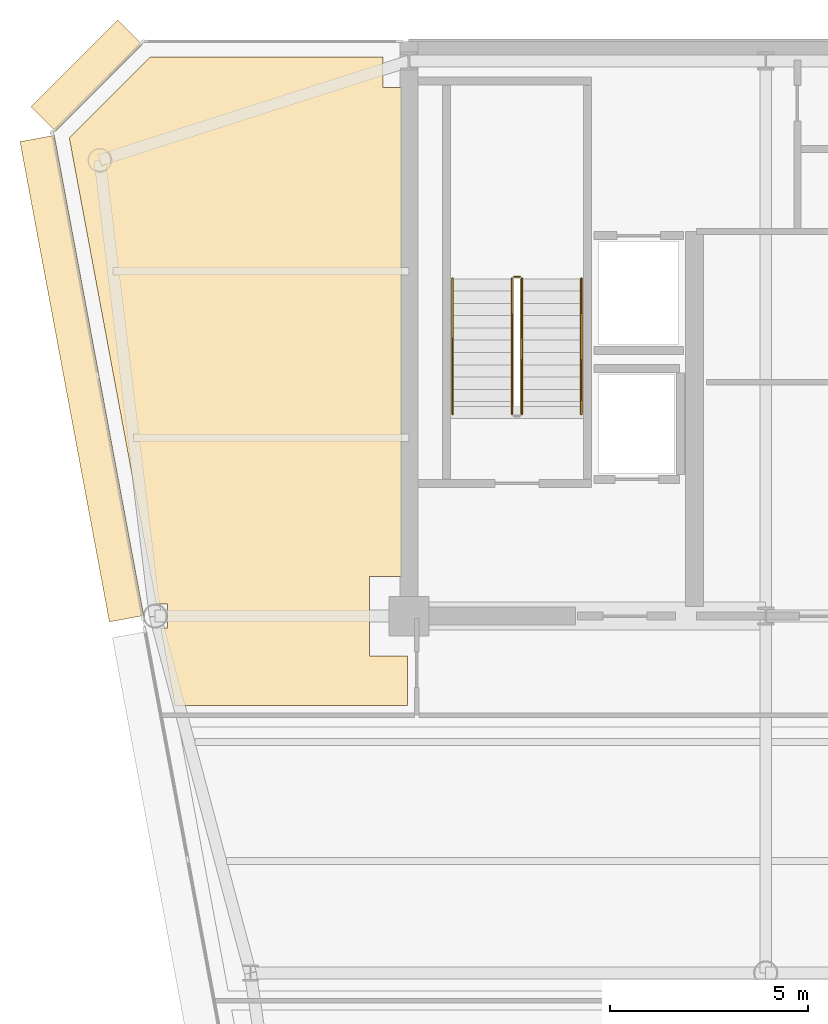
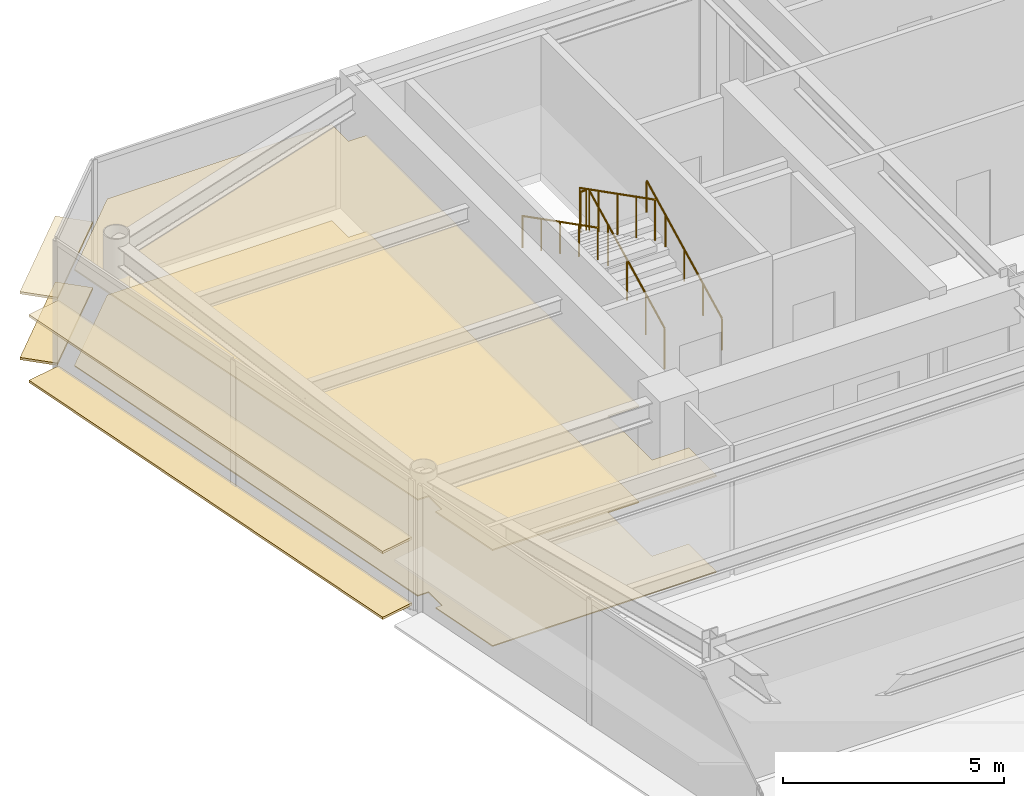
# One storey, part 16 of 18: 6 coverings, 5 railings.
"""IFC4 building model written with IfcOpenShell, lengths in metres."""

from ifc_helpers import new_model, si_unit, direction, frame, origin, origin_2d, place, context, subcontext, project, spatial, polyline, rectangle, circle, outline, extrude, source, transform, mapped, material, layer, layer_set, type_object, element, save


model = new_model("IFC4")

# Units and contexts
model_context = context("Model", 3, precision=1e-05, world=origin(), true_north=direction((0.0, 1.0)))
body_context = subcontext(model_context, "Body", "Model", "MODEL_VIEW")
ifc_project = project(units=[si_unit("LENGTHUNIT", "METRE"), si_unit("AREAUNIT", "SQUARE_METRE"), si_unit("VOLUMEUNIT", "CUBIC_METRE"), si_unit("PLANEANGLEUNIT", "RADIAN"), si_unit("MASSUNIT", "GRAM", prefix="KILO")], contexts=[model_context])

# Site, building, storey
site_placement = place(None, origin())
site = spatial("IfcSite", under=ifc_project, at=site_placement, CompositionType="ELEMENT")
building_placement = place(site_placement, origin())
building = spatial("IfcBuilding", under=site, at=building_placement, Name="Vaeldorn Concourse Tower", CompositionType="ELEMENT")
storey_placement = place(building_placement, frame((0.0, 0.0, 246.0)))
storey = spatial("IfcBuildingStorey", under=building, at=storey_placement, Name="L63", CompositionType="ELEMENT", Elevation=246.0)

# Coverings
ifc_material_1 = material(Name="Acoustic Mineral Fibre Board", Category="gypsum")
ifc_layer_1 = layer(ifc_material_1, 0.0400390625)
ifc_layer_set_1 = layer_set([ifc_layer_1], Name="Acoustic Mineral Fibre Board")
covering_type_1 = type_object("IfcCoveringType", Name="COV-CEIL-ACOUSTIC", PredefinedType="CEILING", material=ifc_layer_set_1)
covering_1_placement = place(storey_placement, frame((0.0, 0.0, 2.64990234375)))
element("IfcCovering", 1, at=covering_1_placement, inside=storey, type_object=covering_type_1, Name="Suspended Acoustic Ceiling L63-3", PredefinedType="CEILING", context=body_context, shape_type="SweptSolid", body=[
    extrude(outline(polyline([(7.4658203125, 50.60009765625), (13.340087890625, 50.60009765625), (13.340087890625, 49.840087890625), (13.820068359375, 49.840087890625), (13.820068359375, 37.5), (13.0, 37.5), (13.0, 35.5), (13.9599609375, 35.5), (13.9599609375, 34.239990234375), (8.099365234375, 34.239990234375), (7.831298828125, 35.679931640625), (7.831298828125, 35.679931640625), (7.7353515625, 36.195068359375), (7.905029296875, 36.195068359375), (7.905029296875, 36.804931640625), (7.621826171875, 36.804931640625), (5.431884765625, 48.566162109375), (7.4658203125, 50.60009765625)])), origin(), (0.0, 0.0, 1.0), 0.0400390625),
])
ifc_material_2 = material(Name="Honed Limestone Terrazzo Flooring", Category="masonry")
ifc_layer_2 = layer(ifc_material_2, 0.0400390625)
ifc_layer_set_2 = layer_set([ifc_layer_2], Name="Honed Limestone Terrazzo Flooring")
covering_type_2 = type_object("IfcCoveringType", Name="COV-FLOOR-STONE", PredefinedType="FLOORING", material=ifc_layer_set_2)
covering_2_placement = place(storey_placement, origin())
element("IfcCovering", 2, at=covering_2_placement, inside=storey, type_object=covering_type_2, Name="Floor Finish Covering L63-3", PredefinedType="FLOORING", context=body_context, shape_type="SweptSolid", body=[
    extrude(outline(polyline([(7.4658203125, 50.60009765625), (13.340087890625, 50.60009765625), (13.340087890625, 49.840087890625), (13.820068359375, 49.840087890625), (13.820068359375, 37.5), (13.0, 37.5), (13.0, 35.5), (13.9599609375, 35.5), (13.9599609375, 34.239990234375), (8.099365234375, 34.239990234375), (7.831298828125, 35.679931640625), (7.831298828125, 35.679931640625), (7.7353515625, 36.195068359375), (7.905029296875, 36.195068359375), (7.905029296875, 36.804931640625), (7.621826171875, 36.804931640625), (5.431884765625, 48.566162109375), (7.4658203125, 50.60009765625)])), origin(), (0.0, 0.0, 1.0), 0.030029296875),
])

# Railings
ifc_material_3 = material(Name="Anodised Bronze Aluminium", Category="aluminium")
railing_type_1 = type_object("IfcRailingType", Name="RL-STAIR-GUARD", PredefinedType="GUARDRAIL", material=ifc_material_3)
railing_1_placement = place(storey_placement, frame((16.85009765625, 41.60009765625, 0.158447265625)))
element("IfcRailing", 3, at=railing_1_placement, inside=storey, type_object=railing_type_1, Name="L63 ST-1 stair guard 1", PredefinedType="GUARDRAIL", context=body_context, shape_type="SweptSolid", body=[
    extrude(circle(Radius=0.02392578125, at=origin_2d()), frame((0.0, 0.0, 1.1259765625), z_axis=(0.0, 0.890581635807, 0.454823427236), x_axis=(-1.0, 0.0, 0.0)), (0.0, 0.0, 1.0), 3.828857421875),
    extrude(circle(Radius=0.02099609375, at=origin_2d()), origin(), (0.0, 0.0, 1.0), 1.101806640625),
    extrude(circle(Radius=0.02099609375, at=origin_2d()), frame((0.0, 0.8525390625, 0.435302734375)), (0.0, 0.0, 1.0), 1.101806640625),
    extrude(circle(Radius=0.02099609375, at=origin_2d()), frame((0.0, 1.705078125, 0.87060546875)), (0.0, 0.0, 1.0), 1.101806640625),
    extrude(circle(Radius=0.02099609375, at=origin_2d()), frame((0.0, 2.557373046875, 1.30615234375)), (0.0, 0.0, 1.0), 1.101806640625),
    extrude(circle(Radius=0.02099609375, at=origin_2d()), frame((0.0, 3.409912109375, 1.741455078125)), (0.0, 0.0, 1.0), 1.101806640625),
])
railing_2_placement = place(storey_placement, frame((16.800048828125, 45.06005859375, 1.89990234375)))
element("IfcRailing", 4, at=railing_2_placement, inside=storey, type_object=railing_type_1, Name="L63 ST-1 stair guard 2", PredefinedType="GUARDRAIL", context=body_context, shape_type="SweptSolid", body=[
    extrude(circle(Radius=0.02392578125, at=origin_2d()), frame((0.0, 0.0, 1.1259765625), z_axis=(-1.0, 0.0, 0.0), x_axis=(0.0, -1.0, 0.0)), (0.0, 0.0, 1.0), 0.150146484375),
    extrude(circle(Radius=0.02099609375, at=origin_2d()), origin(), (0.0, 0.0, 1.0), 1.101806640625),
    extrude(circle(Radius=0.02099609375, at=origin_2d()), frame((-0.150146484375, 0.0, 0.0)), (0.0, 0.0, 1.0), 1.101806640625),
])
railing_3_placement = place(storey_placement, frame((16.60009765625, 45.010009765625, 2.058349609375)))
element("IfcRailing", 5, at=railing_3_placement, inside=storey, type_object=railing_type_1, Name="L63 ST-1 stair guard 3", PredefinedType="GUARDRAIL", context=body_context, shape_type="SweptSolid", body=[
    extrude(circle(Radius=0.02392578125, at=origin_2d()), frame((0.0, 0.0, 1.1259765625), z_axis=(0.0, -0.890555807335, 0.454873997962), x_axis=(1.0, 0.0, 0.0)), (0.0, 0.0, 1.0), 3.828857421875),
    extrude(circle(Radius=0.02099609375, at=origin_2d()), origin(), (0.0, 0.0, 1.0), 1.101806640625),
    extrude(circle(Radius=0.02099609375, at=origin_2d()), frame((0.0, -0.8525390625, 0.435546875)), (0.0, 0.0, 1.0), 1.101806640625),
    extrude(circle(Radius=0.02099609375, at=origin_2d()), frame((0.0, -1.705078125, 0.870849609375)), (0.0, 0.0, 1.0), 1.101806640625),
    extrude(circle(Radius=0.02099609375, at=origin_2d()), frame((0.0, -2.557373046875, 1.30615234375)), (0.0, 0.0, 1.0), 1.101806640625),
    extrude(circle(Radius=0.02099609375, at=origin_2d()), frame((0.0, -3.409912109375, 1.74169921875)), (0.0, 0.0, 1.0), 1.101806640625),
])
railing_type_2 = type_object("IfcRailingType", Name="RL-STAIR-HANDRAIL", PredefinedType="HANDRAIL", material=ifc_material_3)
railing_4_placement = place(storey_placement, frame((18.35009765625, 41.60009765625, 0.158447265625)))
element("IfcRailing", 6, at=railing_4_placement, inside=storey, type_object=railing_type_2, Name="L63 ST-1 stair handrail 1", PredefinedType="HANDRAIL", context=body_context, shape_type="SweptSolid", body=[
    extrude(circle(Radius=0.02392578125, at=origin_2d()), frame((0.0, 0.0, 0.8759765625), z_axis=(0.0, 0.890581635807, 0.454823427236), x_axis=(-1.0, 0.0, 0.0)), (0.0, 0.0, 1.0), 3.828857421875),
    extrude(circle(Radius=0.02099609375, at=origin_2d()), origin(), (0.0, 0.0, 1.0), 0.851806640625),
    extrude(circle(Radius=0.02099609375, at=origin_2d()), frame((0.0, 0.8525390625, 0.435302734375)), (0.0, 0.0, 1.0), 0.851806640625),
    extrude(circle(Radius=0.02099609375, at=origin_2d()), frame((0.0, 1.705078125, 0.87060546875)), (0.0, 0.0, 1.0), 0.851806640625),
    extrude(circle(Radius=0.02099609375, at=origin_2d()), frame((0.0, 2.557373046875, 1.30615234375)), (0.0, 0.0, 1.0), 0.851806640625),
    extrude(circle(Radius=0.02099609375, at=origin_2d()), frame((0.0, 3.409912109375, 1.741455078125)), (0.0, 0.0, 1.0), 0.851806640625),
])
railing_5_placement = place(storey_placement, frame((15.10009765625, 45.010009765625, 2.058349609375)))
element("IfcRailing", 7, at=railing_5_placement, inside=storey, type_object=railing_type_2, Name="L63 ST-1 stair handrail 2", PredefinedType="HANDRAIL", context=body_context, shape_type="SweptSolid", body=[
    extrude(circle(Radius=0.02392578125, at=origin_2d()), frame((0.0, 0.0, 0.8759765625), z_axis=(0.0, -0.890555807335, 0.454873997962), x_axis=(1.0, 0.0, 0.0)), (0.0, 0.0, 1.0), 3.828857421875),
    extrude(circle(Radius=0.02099609375, at=origin_2d()), origin(), (0.0, 0.0, 1.0), 0.851806640625),
    extrude(circle(Radius=0.02099609375, at=origin_2d()), frame((0.0, -0.8525390625, 0.435546875)), (0.0, 0.0, 1.0), 0.851806640625),
    extrude(circle(Radius=0.02099609375, at=origin_2d()), frame((0.0, -1.705078125, 0.870849609375)), (0.0, 0.0, 1.0), 0.851806640625),
    extrude(circle(Radius=0.02099609375, at=origin_2d()), frame((0.0, -2.557373046875, 1.30615234375)), (0.0, 0.0, 1.0), 0.851806640625),
    extrude(circle(Radius=0.02099609375, at=origin_2d()), frame((0.0, -3.409912109375, 1.74169921875)), (0.0, 0.0, 1.0), 0.851806640625),
])

# Coverings
ifc_layer_3 = layer(ifc_material_3, 0.06494140625)
ifc_layer_set_3 = layer_set([ifc_layer_3], Name="Anodised Bronze Aluminium")
covering_type_3 = type_object("IfcCoveringType", Name="SD-BRONZE-SUNSHADE", PredefinedType="USERDEFINED", material=ifc_layer_set_3)
shared_shape_1 = source(origin(), body_context, "Body", "SweptSolid", [
    extrude(rectangle(XDim=3.0927734375, YDim=0.8798828125, at=origin_2d()), origin(), (0.0, 0.0, 1.0), 0.06494140625),
])
for number, where, z_axis, x_axis, name in (
    (8, (5.8671875, 50.1328125, 0.047607421875), (0.0, 0.0, 1.0), (-0.707106781187, -0.707106781187, 0.0), "Horizontal Bronze Sunshade L63-E10.1.1"),
    (9, (5.8671875, 50.1328125, 1.867431640625), (0.0, 0.0, 1.0), (-0.707106781187, -0.707106781187, 0.0), "Horizontal Bronze Sunshade L63-E10.1.2"),
):
    element("IfcCovering", number, at=place(storey_placement, frame(where, z_axis=z_axis, x_axis=x_axis)), inside=storey, type_object=covering_type_3, Name=name, ObjectType="SUNSHADE", PredefinedType="USERDEFINED", context=body_context, shape_type="MappedRepresentation", body=[
        mapped(shared_shape_1, transform((0.0, 0.0, 0.0), scale=1.0)),
    ])
shared_shape_2 = source(origin(), body_context, "Body", "SweptSolid", [
    extrude(rectangle(XDim=12.322509765625, YDim=0.8798828125, at=origin_2d()), origin(), (0.0, 0.0, 1.0), 0.06494140625),
])
for number, where, z_axis, x_axis, name in (
    (10, (5.749267578125, 42.490966796875, 0.047607421875), (0.0, 0.0, 1.0), (0.183059191151, -0.983101893262, 0.0), "Horizontal Bronze Sunshade L63-E11.1.1"),
    (11, (5.749267578125, 42.490966796875, 1.867431640625), (0.0, 0.0, 1.0), (0.183059191151, -0.983101893262, 0.0), "Horizontal Bronze Sunshade L63-E11.1.2"),
):
    element("IfcCovering", number, at=place(storey_placement, frame(where, z_axis=z_axis, x_axis=x_axis)), inside=storey, type_object=covering_type_3, Name=name, ObjectType="SUNSHADE", PredefinedType="USERDEFINED", context=body_context, shape_type="MappedRepresentation", body=[
        mapped(shared_shape_2, transform((0.0, 0.0, 0.0), scale=1.0)),
    ])

save(model, "model.ifc")
